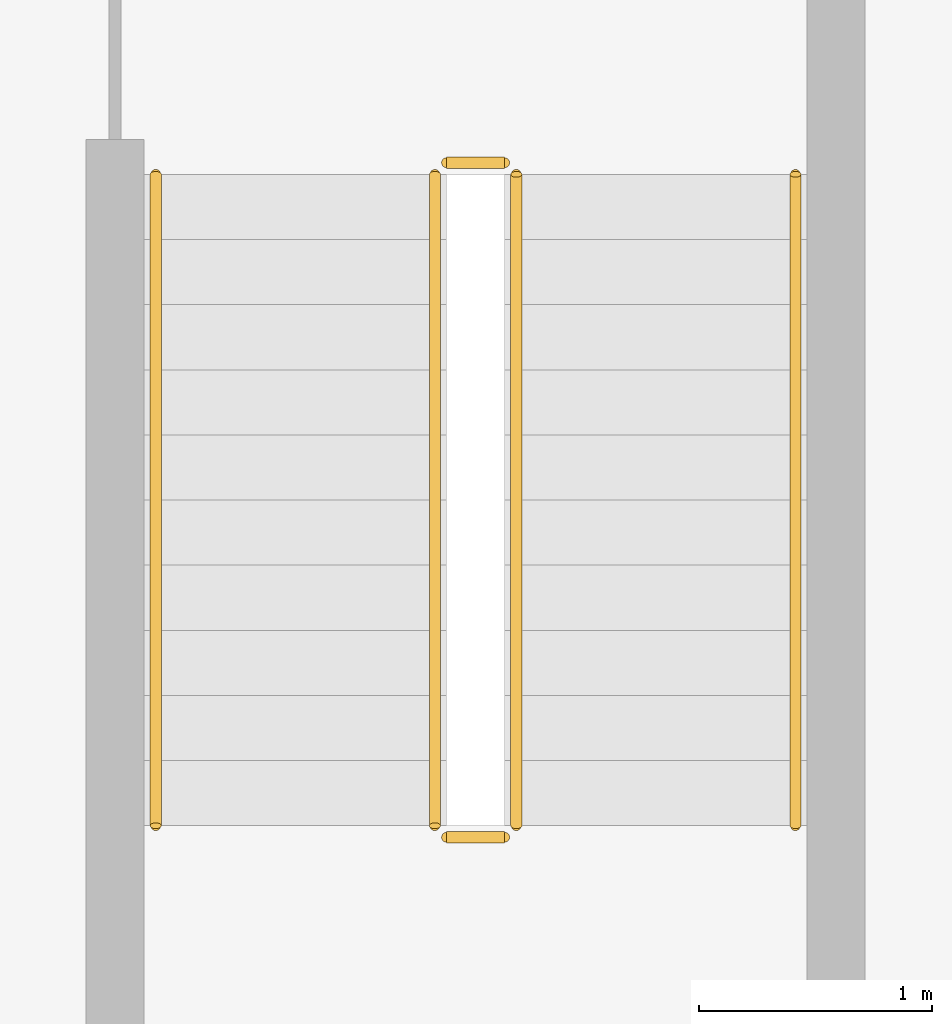
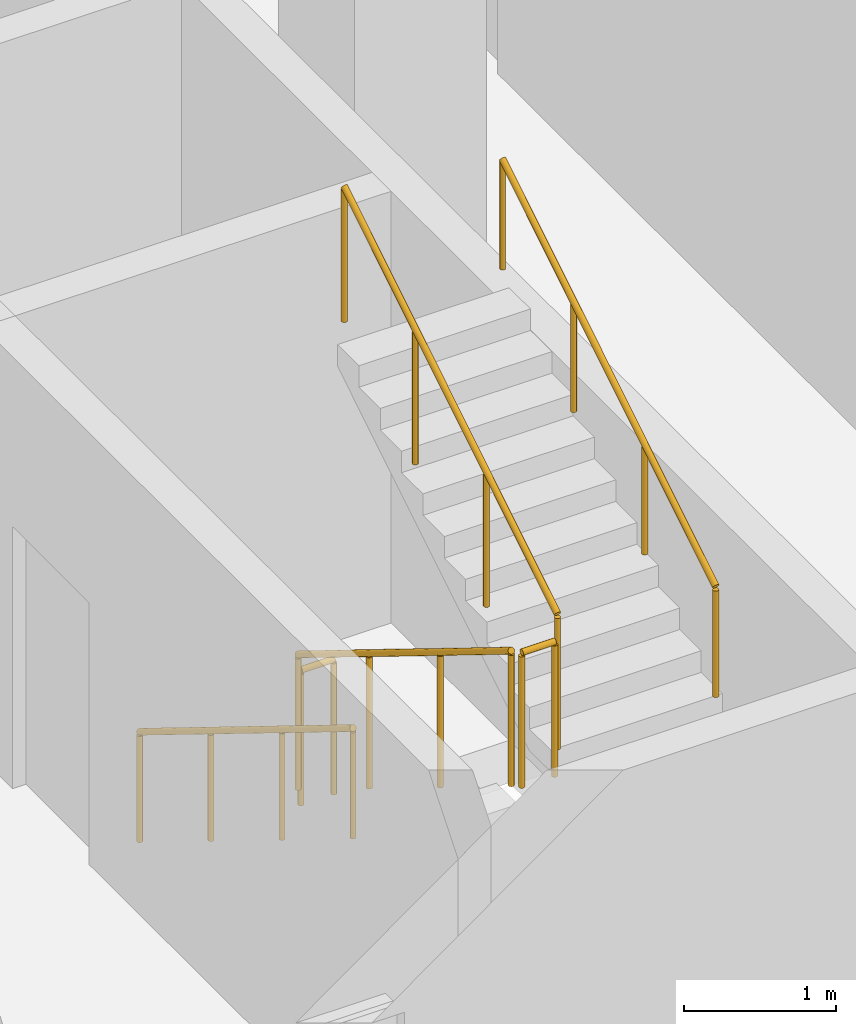
# One storey, part 27 of 32: 6 railings.
"""IFC4 building model written with IfcOpenShell, lengths in metres."""

from ifc_helpers import new_model, si_unit, direction, frame, origin, origin_2d, place, context, subcontext, project, spatial, circle, extrude, material, type_object, element, save


model = new_model("IFC4")

# Units and contexts
model_context = context("Model", 3, precision=1e-05, world=origin(), true_north=direction((0.0, 1.0)))
body_context = subcontext(model_context, "Body", "Model", "MODEL_VIEW")
ifc_project = project(units=[si_unit("LENGTHUNIT", "METRE"), si_unit("AREAUNIT", "SQUARE_METRE"), si_unit("VOLUMEUNIT", "CUBIC_METRE"), si_unit("PLANEANGLEUNIT", "RADIAN"), si_unit("MASSUNIT", "GRAM", prefix="KILO")], contexts=[model_context])

# Site, building, storey
site_placement = place(None, origin())
site = spatial("IfcSite", under=ifc_project, at=site_placement, CompositionType="ELEMENT")
building_placement = place(site_placement, origin())
building = spatial("IfcBuilding", under=site, at=building_placement, Name="Mahtab Terrace Research Tower", CompositionType="ELEMENT")
storey_placement = place(building_placement, frame((0.0, 0.0, 240.0)))
storey = spatial("IfcBuildingStorey", under=building, at=storey_placement, Name="L58", CompositionType="ELEMENT", Elevation=240.0)

# Railings
ifc_material = material(Name="Stainless steel AISI 304", Category="steel")
railing_type_1 = type_object("IfcRailingType", Name="Stair guard 1100", PredefinedType="GUARDRAIL", material=ifc_material)
railing_1_placement = place(storey_placement, frame((2.949951171875, -4.175048828125, 0.172607421875)))
element("IfcRailing", 1, at=railing_1_placement, inside=storey, type_object=railing_type_1, Name="L58 ST2 stair guard 1", PredefinedType="GUARDRAIL", context=body_context, shape_type="SweptSolid", body=[
    extrude(circle(Radius=0.02392578125, at=origin_2d()), frame((0.0, 0.0, 1.076171875), z_axis=(0.0, -0.851089632645, 0.525020415988), x_axis=(1.0, 0.0, 0.0)), (0.0, 0.0, 1.0), 3.2900390625),
    extrude(circle(Radius=0.02099609375, at=origin_2d()), origin(), (0.0, 0.0, 1.0), 1.052001953125),
    extrude(circle(Radius=0.02099609375, at=origin_2d()), frame((0.0, -0.933349609375, 0.57568359375)), (0.0, 0.0, 1.0), 1.052001953125),
    extrude(circle(Radius=0.02099609375, at=origin_2d()), frame((0.0, -1.86669921875, 1.151611328125)), (0.0, 0.0, 1.0), 1.052001953125),
    extrude(circle(Radius=0.02099609375, at=origin_2d()), frame((0.0, -2.800048828125, 1.727294921875)), (0.0, 0.0, 1.0), 1.052001953125),
])
railing_2_placement = place(storey_placement, frame((3.0, -7.02490234375, 1.89990234375)))
element("IfcRailing", 2, at=railing_2_placement, inside=storey, type_object=railing_type_1, Name="L58 ST2 stair guard 2", PredefinedType="GUARDRAIL", context=body_context, shape_type="SweptSolid", body=[
    extrude(circle(Radius=0.02392578125, at=origin_2d()), frame((0.0, 0.0, 1.076171875), z_axis=(1.0, 0.0, 0.0), x_axis=(0.0, 1.0, 0.0)), (0.0, 0.0, 1.0), 0.25),
    extrude(circle(Radius=0.02099609375, at=origin_2d()), origin(), (0.0, 0.0, 1.0), 1.052001953125),
    extrude(circle(Radius=0.02099609375, at=origin_2d()), frame((0.25, 0.0, 0.0)), (0.0, 0.0, 1.0), 1.052001953125),
])
railing_3_placement = place(storey_placement, frame((3.300048828125, -6.97509765625, 2.07275390625)))
element("IfcRailing", 3, at=railing_3_placement, inside=storey, type_object=railing_type_1, Name="L58 ST2 stair guard 3", PredefinedType="GUARDRAIL", context=body_context, shape_type="SweptSolid", body=[
    extrude(circle(Radius=0.02392578125, at=origin_2d()), frame((0.0, 0.0, 1.076171875), z_axis=(0.0, 0.851089632645, 0.525020415988), x_axis=(-1.0, 0.0, 0.0)), (0.0, 0.0, 1.0), 3.2900390625),
    extrude(circle(Radius=0.02099609375, at=origin_2d()), origin(), (0.0, 0.0, 1.0), 1.052001953125),
    extrude(circle(Radius=0.02099609375, at=origin_2d()), frame((0.0, 0.933349609375, 0.57568359375)), (0.0, 0.0, 1.0), 1.052001953125),
    extrude(circle(Radius=0.02099609375, at=origin_2d()), frame((0.0, 1.86669921875, 1.151611328125)), (0.0, 0.0, 1.0), 1.052001953125),
    extrude(circle(Radius=0.02099609375, at=origin_2d()), frame((0.0, 2.800048828125, 1.727294921875)), (0.0, 0.0, 1.0), 1.052001953125),
])
railing_4_placement = place(storey_placement, frame((3.0, -4.125, 0.0)))
element("IfcRailing", 4, at=railing_4_placement, inside=storey, type_object=railing_type_1, Name="L58 ST2 stair guard 4", PredefinedType="GUARDRAIL", context=body_context, shape_type="SweptSolid", body=[
    extrude(circle(Radius=0.02392578125, at=origin_2d()), frame((0.0, 0.0, 1.076171875), z_axis=(1.0, 0.0, 0.0), x_axis=(0.0, 1.0, 0.0)), (0.0, 0.0, 1.0), 0.25),
    extrude(circle(Radius=0.02099609375, at=origin_2d()), origin(), (0.0, 0.0, 1.0), 1.052001953125),
    extrude(circle(Radius=0.02099609375, at=origin_2d()), frame((0.25, 0.0, 0.0)), (0.0, 0.0, 1.0), 1.052001953125),
])
railing_type_2 = type_object("IfcRailingType", Name="Stair handrail 900", PredefinedType="HANDRAIL", material=ifc_material)
railing_5_placement = place(storey_placement, frame((1.75, -4.175048828125, 0.172607421875)))
element("IfcRailing", 5, at=railing_5_placement, inside=storey, type_object=railing_type_2, Name="L58 ST2 stair handrail 1", PredefinedType="HANDRAIL", context=body_context, shape_type="SweptSolid", body=[
    extrude(circle(Radius=0.02392578125, at=origin_2d()), frame((0.0, 0.0, 0.8759765625), z_axis=(0.0, -0.851089632645, 0.525020415988), x_axis=(1.0, 0.0, 0.0)), (0.0, 0.0, 1.0), 3.2900390625),
    extrude(circle(Radius=0.02099609375, at=origin_2d()), origin(), (0.0, 0.0, 1.0), 0.851806640625),
    extrude(circle(Radius=0.02099609375, at=origin_2d()), frame((0.0, -0.933349609375, 0.57568359375)), (0.0, 0.0, 1.0), 0.851806640625),
    extrude(circle(Radius=0.02099609375, at=origin_2d()), frame((0.0, -1.86669921875, 1.151611328125)), (0.0, 0.0, 1.0), 0.851806640625),
    extrude(circle(Radius=0.02099609375, at=origin_2d()), frame((0.0, -2.800048828125, 1.727294921875)), (0.0, 0.0, 1.0), 0.851806640625),
])
railing_6_placement = place(storey_placement, frame((4.5, -6.97509765625, 2.07275390625)))
element("IfcRailing", 6, at=railing_6_placement, inside=storey, type_object=railing_type_2, Name="L58 ST2 stair handrail 2", PredefinedType="HANDRAIL", context=body_context, shape_type="SweptSolid", body=[
    extrude(circle(Radius=0.02392578125, at=origin_2d()), frame((0.0, 0.0, 0.8759765625), z_axis=(0.0, 0.851089632645, 0.525020415988), x_axis=(-1.0, 0.0, 0.0)), (0.0, 0.0, 1.0), 3.2900390625),
    extrude(circle(Radius=0.02099609375, at=origin_2d()), origin(), (0.0, 0.0, 1.0), 0.851806640625),
    extrude(circle(Radius=0.02099609375, at=origin_2d()), frame((0.0, 0.933349609375, 0.57568359375)), (0.0, 0.0, 1.0), 0.851806640625),
    extrude(circle(Radius=0.02099609375, at=origin_2d()), frame((0.0, 1.86669921875, 1.151611328125)), (0.0, 0.0, 1.0), 0.851806640625),
    extrude(circle(Radius=0.02099609375, at=origin_2d()), frame((0.0, 2.800048828125, 1.727294921875)), (0.0, 0.0, 1.0), 0.851806640625),
])

save(model, "model.ifc")
